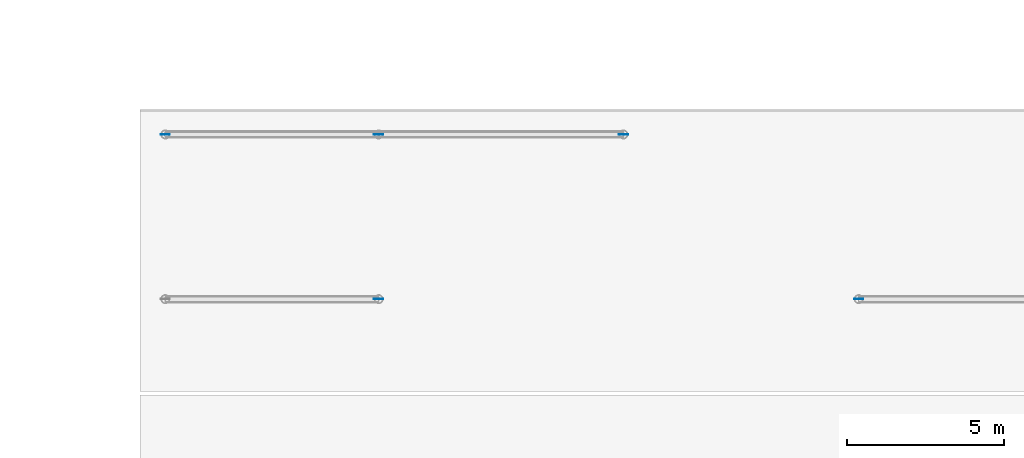
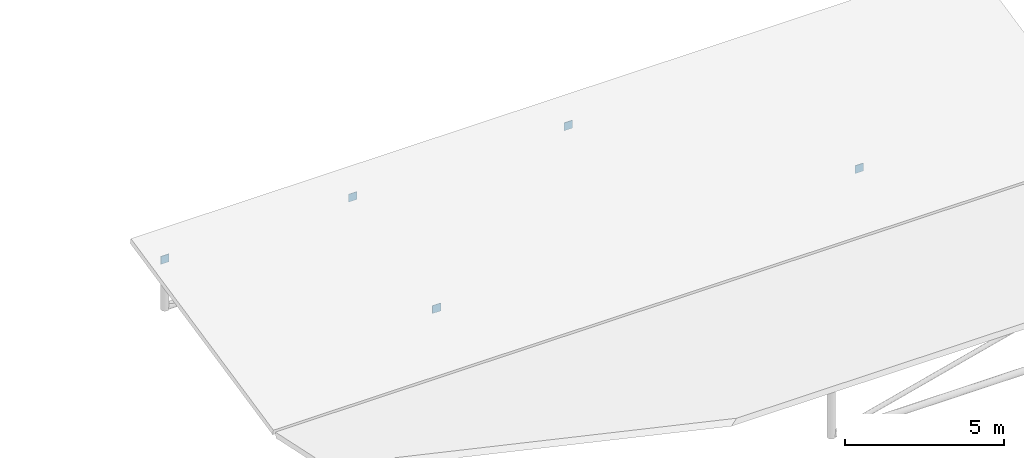
# One storey, part 128 of 146: 5 plates.
"""IFC4 building model written with IfcOpenShell, lengths in metres."""

from ifc_helpers import new_model, si_unit, direction, frame, origin, origin_2d, place, context, subcontext, project, spatial, rectangle, extrude, material, layer, layer_set, type_object, element, save


model = new_model("IFC4")

# Units and contexts
model_context = context("Model", 3, precision=1e-05, world=origin(), true_north=direction((0.0, 1.0)))
body_context = subcontext(model_context, "Body", "Model", "MODEL_VIEW")
ifc_project = project(units=[si_unit("LENGTHUNIT", "METRE"), si_unit("AREAUNIT", "SQUARE_METRE"), si_unit("VOLUMEUNIT", "CUBIC_METRE"), si_unit("PLANEANGLEUNIT", "RADIAN"), si_unit("MASSUNIT", "GRAM", prefix="KILO")], contexts=[model_context])

# Site, building, storey
site_placement = place(None, origin())
site = spatial("IfcSite", under=ifc_project, at=site_placement, CompositionType="ELEMENT")
building_placement = place(site_placement, origin())
building = spatial("IfcBuilding", under=site, at=building_placement, Name="Valcora Specialist Clinic", CompositionType="ELEMENT")
storey_placement = place(building_placement, frame((0.0, 0.0, 9.52001953125)))
storey = spatial("IfcBuildingStorey", under=building, at=storey_placement, Name="L02", CompositionType="ELEMENT", Elevation=9.52001953125)

# Plates
ifc_material = material(Name="Steel ASTM A572 Grade 50", Category="steel")
ifc_layer = layer(ifc_material, 0.02001953125)
ifc_layer_set = layer_set([ifc_layer], Name="Steel ASTM A572 Grade 50")
plate_type = type_object("IfcPlateType", Name="TY-PL-EC273", PredefinedType="USERDEFINED", material=ifc_layer_set)
for number, where, z_axis, x_axis, name in (
    (1, (139.199951171875, 50.0, 0.6748046875), (0.0, 0.0, 1.0), (1.0, 0.0, 0.0), "Stub post end-cap plate COL-RFV3-1392-500"),
    (2, (154.5, 50.0, 0.6748046875), (0.0, 0.0, 1.0), (1.0, 0.0, 0.0), "Stub post end-cap plate COL-RFV3-1545-500"),
    (3, (132.39990234375, 55.25, 1.75732421875), (0.0, 0.0, 1.0), (1.0, 0.0, 0.0), "Stub post end-cap plate COL-RFV3-1324-552"),
    (4, (139.199951171875, 55.25, 1.75732421875), (0.0, 0.0, 1.0), (1.0, 0.0, 0.0), "Stub post end-cap plate COL-RFV3-1392-552"),
    (5, (147.0, 55.25, 1.75732421875), (0.0, 0.0, 1.0), (1.0, 0.0, 0.0), "Stub post end-cap plate COL-RFV3-1470-552"),
):
    element("IfcPlate", number, at=place(storey_placement, frame(where, z_axis=z_axis, x_axis=x_axis)), inside=storey, type_object=plate_type, Name=name, ObjectType="FLANGE_PLATE", PredefinedType="USERDEFINED", context=body_context, shape_type="SweptSolid", body=[
        extrude(rectangle(XDim=0.300048828125, YDim=0.02001953125, at=origin_2d()), origin(), (0.0, 0.0, 1.0), 0.300048828125),
    ])

save(model, "model.ifc")
